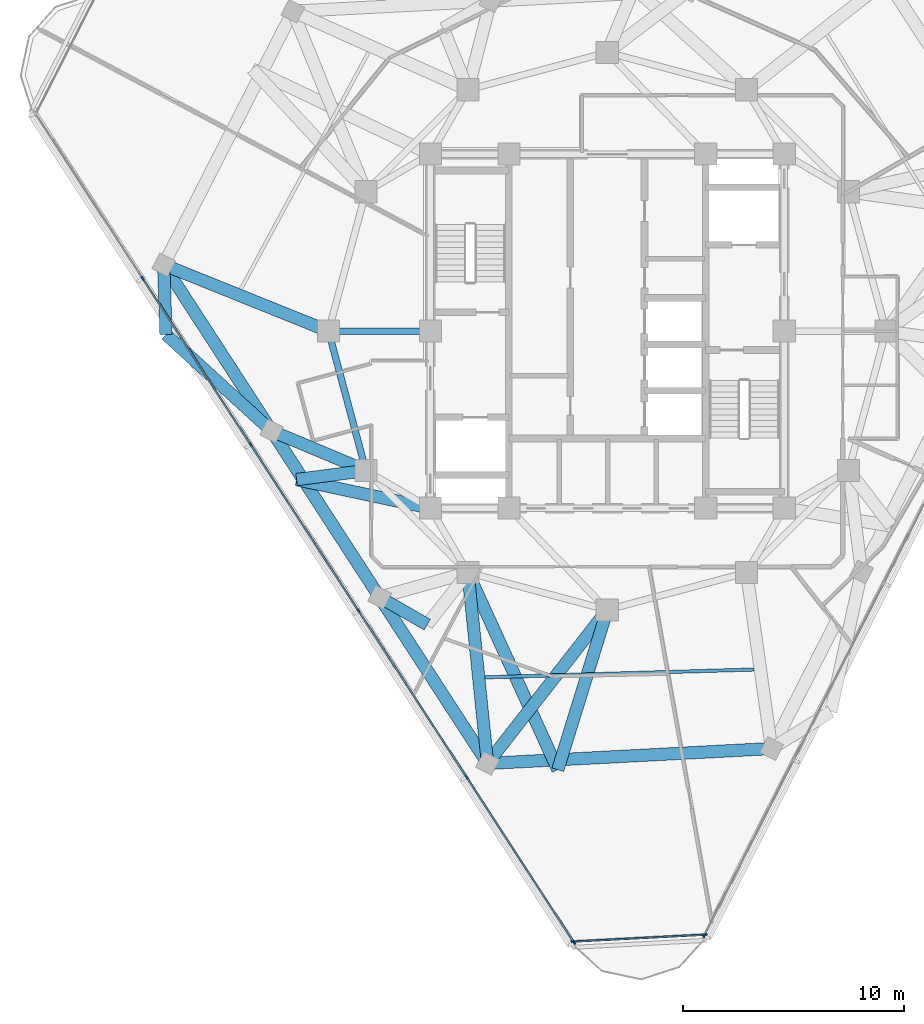
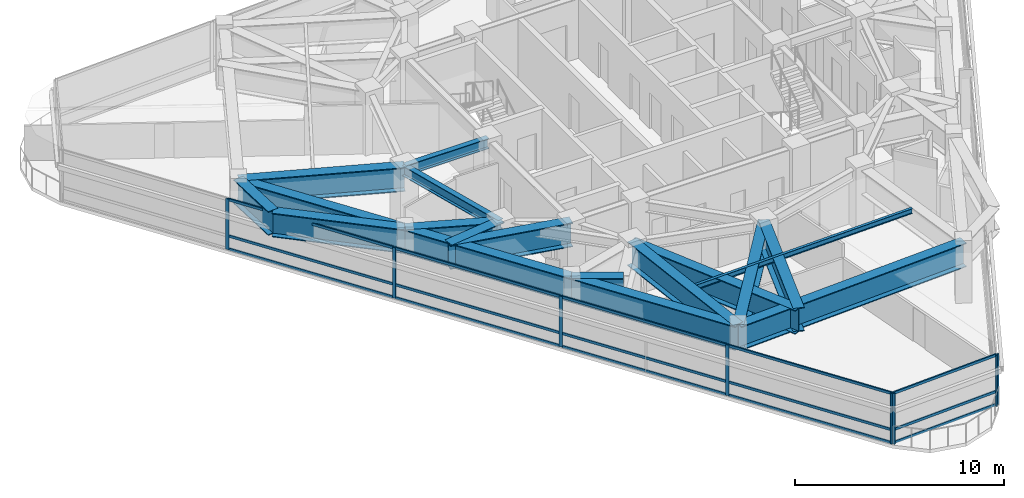
# One storey, part 2 of 15: 23 members, 18 beams, 3 elements without a shape of their own.
"""IFC4 building model written with IfcOpenShell, lengths in metres."""

from ifc_helpers import new_model, si_unit, direction, frame, origin, origin_2d, place, context, subcontext, project, spatial, rectangle, i_section, extrude, material, layer, layer_set, material_profile, profile_set, type_object, element, aggregate, save


model = new_model("IFC4")

# Units and contexts
model_context = context("Model", 3, precision=1e-05, world=origin(), true_north=direction((0.0, 1.0)))
body_context = subcontext(model_context, "Body", "Model", "MODEL_VIEW")
ifc_project = project(units=[si_unit("LENGTHUNIT", "METRE"), si_unit("AREAUNIT", "SQUARE_METRE"), si_unit("VOLUMEUNIT", "CUBIC_METRE"), si_unit("PLANEANGLEUNIT", "RADIAN"), si_unit("MASSUNIT", "GRAM", prefix="KILO")], contexts=[model_context])

# Site, building, storey
site_placement = place(None, origin())
site = spatial("IfcSite", under=ifc_project, at=site_placement, CompositionType="ELEMENT")
building_placement = place(site_placement, origin())
building = spatial("IfcBuilding", under=site, at=building_placement, Name="Terralouvre Media Tower", CompositionType="ELEMENT")
storey_placement = place(building_placement, frame((0.0, 0.0, 274.39990234375)))
storey = spatial("IfcBuildingStorey", under=building, at=storey_placement, Name="L71", CompositionType="ELEMENT", Elevation=274.39990234375)

# Beam
ifc_material_1 = material(Name="Structural steel S355J2", Category="steel")
ifc_material_profile_1 = material_profile(ifc_material_1, i_section(OverallWidth=0.14990234375, OverallDepth=0.300048828125, WebThickness=0.007080078125, FlangeThickness=0.0107421875, at=origin_2d()), Name="IPE 300")
ifc_profile_set_1 = profile_set([ifc_material_profile_1], Name="Structural steel S355J2")
beam_type_1 = type_object("IfcBeamType", Name="Composite Floor Joist J-IPE300 (IPE 300)", PredefinedType="JOIST", material=ifc_profile_set_1)
beam_1_placement = place(storey_placement, frame((-5.53369140625, -15.649658203125, 3.31005859375), z_axis=(0.999578036375, 0.029047361264, 0.0), x_axis=(-0.029047361264, 0.999578036375, 0.0)))
element("IfcBeam", 1, at=beam_1_placement, inside=storey, type_object=beam_type_1, Name="L71 Framing Beam JT-L71-01", PredefinedType="JOIST", context=body_context, shape_type="SweptSolid", body=[
    extrude(i_section(OverallWidth=0.14990234375, OverallDepth=0.300048828125, WebThickness=0.007080078125, FlangeThickness=0.0107421875, at=origin_2d()), origin(), (0.0, 0.0, 1.0), 12.1787109375),
])

# Curtain wall, members
ifc_material_2 = material(Name="Low-iron laminated double glazing with solar-control coating", Category="glass")
ifc_layer_1 = layer(ifc_material_2, 0.1650390625, Name="Upper Executive Tower Curtain Wall CW-05")
ifc_layer_set_1 = layer_set([ifc_layer_1], Name="Low-iron laminated double glazing with solar-control coating")
curtain_wall_type_1 = type_object("IfcCurtainWallType", Name="Upper Executive Tower Curtain Wall CW-05", PredefinedType="NOTDEFINED", material=ifc_layer_set_1)
curtain_wall_1_placement = place(storey_placement, origin())
curtain_wall_1 = element("IfcCurtainWall", 2, at=curtain_wall_1_placement, inside=storey, type_object=curtain_wall_type_1, Name="L71 Facade Curtain Wall F2", PredefinedType="NOTDEFINED")
ifc_material_3 = material(Name="Anodised extruded aluminium 6063-T6", Category="aluminium")
ifc_material_profile_2 = material_profile(ifc_material_3, rectangle(XDim=0.074951171875, YDim=0.14990234375, at=origin_2d()), Name="ALU 75x150")
ifc_profile_set_2 = profile_set([ifc_material_profile_2], Name="Anodised extruded aluminium 6063-T6")
member_type_1 = type_object("IfcMemberType", Name="Curtain-Wall Horizontal Transom TR-150", PredefinedType="USERDEFINED", material=ifc_profile_set_2)
member_1_placement = place(storey_placement, frame((-20.98046875, 2.355712890625, 0.03759765625), z_axis=(0.544647362145, -0.838665160185, 0.0), x_axis=(0.838665160185, 0.544647362145, 0.0)))
member_1 = element("IfcMember", 3, at=member_1_placement, type_object=member_type_1, Name="CW-05 transom 2.1", ObjectType="TRANSOM", PredefinedType="USERDEFINED", context=body_context, shape_type="SweptSolid", body=[
    extrude(rectangle(XDim=0.074951171875, YDim=0.14990234375, at=origin_2d()), origin(), (0.0, 0.0, 1.0), 8.884765625),
])
member_2_placement = place(storey_placement, frame((-20.98046875, 2.355712890625, 0.800048828125), z_axis=(0.544647362145, -0.838665160185, 0.0), x_axis=(0.838665160185, 0.544647362145, 0.0)))
member_2 = element("IfcMember", 4, at=member_2_placement, type_object=member_type_1, Name="CW-05 transom 2.2", ObjectType="TRANSOM", PredefinedType="USERDEFINED", context=body_context, shape_type="SweptSolid", body=[
    extrude(rectangle(XDim=0.074951171875, YDim=0.14990234375, at=origin_2d()), origin(), (0.0, 0.0, 1.0), 8.884765625),
])
member_3_placement = place(storey_placement, frame((-20.98046875, 2.355712890625, 2.922607421875), z_axis=(0.544647362145, -0.838665160185, 0.0), x_axis=(0.838665160185, 0.544647362145, 0.0)))
member_3 = element("IfcMember", 5, at=member_3_placement, type_object=member_type_1, Name="CW-05 transom 2.3", ObjectType="TRANSOM", PredefinedType="USERDEFINED", context=body_context, shape_type="SweptSolid", body=[
    extrude(rectangle(XDim=0.074951171875, YDim=0.14990234375, at=origin_2d()), origin(), (0.0, 0.0, 1.0), 8.884765625),
])
member_4_placement = place(storey_placement, frame((-16.1005859375, -5.15869140625, 0.03759765625), z_axis=(0.544634810925, -0.838673311087, 0.0), x_axis=(0.838673311087, 0.544634810925, 0.0)))
member_4 = element("IfcMember", 6, at=member_4_placement, type_object=member_type_1, Name="CW-05 transom 3.1", ObjectType="TRANSOM", PredefinedType="USERDEFINED", context=body_context, shape_type="SweptSolid", body=[
    extrude(rectangle(XDim=0.074951171875, YDim=0.14990234375, at=origin_2d()), origin(), (0.0, 0.0, 1.0), 8.885009765625),
])
member_5_placement = place(storey_placement, frame((-16.1005859375, -5.15869140625, 0.800048828125), z_axis=(0.544634810925, -0.838673311087, 0.0), x_axis=(0.838673311087, 0.544634810925, 0.0)))
member_5 = element("IfcMember", 7, at=member_5_placement, type_object=member_type_1, Name="CW-05 transom 3.2", ObjectType="TRANSOM", PredefinedType="USERDEFINED", context=body_context, shape_type="SweptSolid", body=[
    extrude(rectangle(XDim=0.074951171875, YDim=0.14990234375, at=origin_2d()), origin(), (0.0, 0.0, 1.0), 8.885009765625),
])
member_6_placement = place(storey_placement, frame((-16.1005859375, -5.15869140625, 2.922607421875), z_axis=(0.544634810925, -0.838673311087, 0.0), x_axis=(0.838673311087, 0.544634810925, 0.0)))
member_6 = element("IfcMember", 8, at=member_6_placement, type_object=member_type_1, Name="CW-05 transom 3.3", ObjectType="TRANSOM", PredefinedType="USERDEFINED", context=body_context, shape_type="SweptSolid", body=[
    extrude(rectangle(XDim=0.074951171875, YDim=0.14990234375, at=origin_2d()), origin(), (0.0, 0.0, 1.0), 8.885009765625),
])
member_7_placement = place(storey_placement, frame((-11.220458984375, -12.673095703125, 0.03759765625), z_axis=(0.544634810925, -0.838673311087, 0.0), x_axis=(0.838673311087, 0.544634810925, 0.0)))
member_7 = element("IfcMember", 9, at=member_7_placement, type_object=member_type_1, Name="CW-05 transom 4.1", ObjectType="TRANSOM", PredefinedType="USERDEFINED", context=body_context, shape_type="SweptSolid", body=[
    extrude(rectangle(XDim=0.074951171875, YDim=0.14990234375, at=origin_2d()), origin(), (0.0, 0.0, 1.0), 8.885009765625),
])
member_8_placement = place(storey_placement, frame((-11.220458984375, -12.673095703125, 0.800048828125), z_axis=(0.544634810925, -0.838673311087, 0.0), x_axis=(0.838673311087, 0.544634810925, 0.0)))
member_8 = element("IfcMember", 10, at=member_8_placement, type_object=member_type_1, Name="CW-05 transom 4.2", ObjectType="TRANSOM", PredefinedType="USERDEFINED", context=body_context, shape_type="SweptSolid", body=[
    extrude(rectangle(XDim=0.074951171875, YDim=0.14990234375, at=origin_2d()), origin(), (0.0, 0.0, 1.0), 8.885009765625),
])
member_9_placement = place(storey_placement, frame((-11.220458984375, -12.673095703125, 2.922607421875), z_axis=(0.544634810925, -0.838673311087, 0.0), x_axis=(0.838673311087, 0.544634810925, 0.0)))
member_9 = element("IfcMember", 11, at=member_9_placement, type_object=member_type_1, Name="CW-05 transom 4.3", ObjectType="TRANSOM", PredefinedType="USERDEFINED", context=body_context, shape_type="SweptSolid", body=[
    extrude(rectangle(XDim=0.074951171875, YDim=0.14990234375, at=origin_2d()), origin(), (0.0, 0.0, 1.0), 8.885009765625),
])
member_10_placement = place(storey_placement, frame((-6.340576171875, -20.187744140625, 0.03759765625), z_axis=(0.544630398361, -0.838676176591, 0.0), x_axis=(0.838676176591, 0.544630398361, 0.0)))
member_10 = element("IfcMember", 12, at=member_10_placement, type_object=member_type_1, Name="CW-05 transom 5.1", ObjectType="TRANSOM", PredefinedType="USERDEFINED", context=body_context, shape_type="SweptSolid", body=[
    extrude(rectangle(XDim=0.074951171875, YDim=0.14990234375, at=origin_2d()), origin(), (0.0, 0.0, 1.0), 8.847412109375),
])
member_11_placement = place(storey_placement, frame((-6.340576171875, -20.187744140625, 0.800048828125), z_axis=(0.544630398361, -0.838676176591, 0.0), x_axis=(0.838676176591, 0.544630398361, 0.0)))
member_11 = element("IfcMember", 13, at=member_11_placement, type_object=member_type_1, Name="CW-05 transom 5.2", ObjectType="TRANSOM", PredefinedType="USERDEFINED", context=body_context, shape_type="SweptSolid", body=[
    extrude(rectangle(XDim=0.074951171875, YDim=0.14990234375, at=origin_2d()), origin(), (0.0, 0.0, 1.0), 8.847412109375),
])
member_12_placement = place(storey_placement, frame((-6.340576171875, -20.187744140625, 2.922607421875), z_axis=(0.544630398361, -0.838676176591, 0.0), x_axis=(0.838676176591, 0.544630398361, 0.0)))
member_12 = element("IfcMember", 14, at=member_12_placement, type_object=member_type_1, Name="CW-05 transom 5.3", ObjectType="TRANSOM", PredefinedType="USERDEFINED", context=body_context, shape_type="SweptSolid", body=[
    extrude(rectangle(XDim=0.074951171875, YDim=0.14990234375, at=origin_2d()), origin(), (0.0, 0.0, 1.0), 8.847412109375),
])

ifc_material_4 = material(Name="Low-iron laminated double glazing with solar-control coating", Category="glass")
ifc_layer_2 = layer(ifc_material_4, 0.1650390625, Name="Rounded Wind-Corner Curved Glazing CW-04")
ifc_layer_set_2 = layer_set([ifc_layer_2], Name="Low-iron laminated double glazing with solar-control coating")
curtain_wall_type_2 = type_object("IfcCurtainWallType", Name="Rounded Wind-Corner Curved Glazing CW-04", PredefinedType="NOTDEFINED", material=ifc_layer_set_2)
curtain_wall_2_placement = place(storey_placement, origin())
curtain_wall_2 = element("IfcCurtainWall", 15, at=curtain_wall_2_placement, inside=storey, type_object=curtain_wall_type_2, Name="L71 Rounded Wind-Corner Curtain Wall C0", PredefinedType="NOTDEFINED")
member_13_placement = place(storey_placement, frame((-1.51416015625, -27.59228515625, 0.03759765625), z_axis=(0.998630348994, 0.052320417325, 0.0), x_axis=(-0.052320417325, 0.998630348994, 0.0)))
member_13 = element("IfcMember", 16, at=member_13_placement, type_object=member_type_1, Name="CW-04 transom 1.1", ObjectType="TRANSOM", PredefinedType="USERDEFINED", context=body_context, shape_type="SweptSolid", body=[
    extrude(rectangle(XDim=0.074951171875, YDim=0.14990234375, at=origin_2d()), origin(), (0.0, 0.0, 1.0), 5.912109375),
])
member_14_placement = place(storey_placement, frame((-1.51416015625, -27.59228515625, 0.800048828125), z_axis=(0.998630348994, 0.052320417325, 0.0), x_axis=(-0.052320417325, 0.998630348994, 0.0)))
member_14 = element("IfcMember", 17, at=member_14_placement, type_object=member_type_1, Name="CW-04 transom 1.2", ObjectType="TRANSOM", PredefinedType="USERDEFINED", context=body_context, shape_type="SweptSolid", body=[
    extrude(rectangle(XDim=0.074951171875, YDim=0.14990234375, at=origin_2d()), origin(), (0.0, 0.0, 1.0), 5.912109375),
])
member_15_placement = place(storey_placement, frame((-1.51416015625, -27.59228515625, 2.922607421875), z_axis=(0.998630348994, 0.052320417325, 0.0), x_axis=(-0.052320417325, 0.998630348994, 0.0)))
member_15 = element("IfcMember", 18, at=member_15_placement, type_object=member_type_1, Name="CW-04 transom 1.3", ObjectType="TRANSOM", PredefinedType="USERDEFINED", context=body_context, shape_type="SweptSolid", body=[
    extrude(rectangle(XDim=0.074951171875, YDim=0.14990234375, at=origin_2d()), origin(), (0.0, 0.0, 1.0), 5.912109375),
])

# Curtain wall, member
curtain_wall_3_placement = place(storey_placement, origin())
curtain_wall_3 = element("IfcCurtainWall", 19, at=curtain_wall_3_placement, inside=storey, type_object=curtain_wall_type_1, Name="L71 Facade Curtain Wall F0", PredefinedType="NOTDEFINED")
ifc_material_5 = material(Name="Anodised extruded aluminium 6063-T6", Category="aluminium")
ifc_material_profile_3 = material_profile(ifc_material_5, rectangle(XDim=0.074951171875, YDim=0.179931640625, at=origin_2d()), Name="ALU 75x180")
ifc_profile_set_3 = profile_set([ifc_material_profile_3], Name="Anodised extruded aluminium 6063-T6")
member_type_2 = type_object("IfcMemberType", Name="Curtain-Wall Vertical Mullion ML-180", PredefinedType="MULLION", material=ifc_profile_set_3)
member_16_placement = place(storey_placement, frame((4.38232421875, -27.330810546875, 0.0), z_axis=(0.0, 0.0, 1.0), x_axis=(-0.891006553308, 0.45399044259, 0.0)))
member_16 = element("IfcMember", 20, at=member_16_placement, type_object=member_type_2, Name="CW-05 mullion 1", PredefinedType="MULLION", context=body_context, shape_type="SweptSolid", body=[
    extrude(rectangle(XDim=0.074951171875, YDim=0.179931640625, at=origin_2d()), origin(), (0.0, 0.0, 1.0), 2.960205078125),
])
aggregate(curtain_wall_3, [member_16])

# Member
member_17_placement = place(storey_placement, frame((-21.0009765625, 2.38720703125, 0.0), z_axis=(0.0, 0.0, 1.0), x_axis=(0.838670545826, 0.544639069077, 0.0)))
member_17 = element("IfcMember", 21, at=member_17_placement, type_object=member_type_2, Name="CW-05 mullion 2", PredefinedType="MULLION", context=body_context, shape_type="SweptSolid", body=[
    extrude(rectangle(XDim=0.074951171875, YDim=0.179931640625, at=origin_2d()), origin(), (0.0, 0.0, 1.0), 2.960205078125),
])

member_18_placement = place(storey_placement, frame((-16.120849609375, -5.127197265625, 0.0), z_axis=(0.0, 0.0, 1.0), x_axis=(0.838670545826, 0.544639069077, 0.0)))
member_18 = element("IfcMember", 22, at=member_18_placement, type_object=member_type_2, Name="CW-05 mullion 3", PredefinedType="MULLION", context=body_context, shape_type="SweptSolid", body=[
    extrude(rectangle(XDim=0.074951171875, YDim=0.179931640625, at=origin_2d()), origin(), (0.0, 0.0, 1.0), 2.960205078125),
])

member_19_placement = place(storey_placement, frame((-11.240966796875, -12.641845703125, 0.0), z_axis=(0.0, 0.0, 1.0), x_axis=(0.838670545826, 0.544639069077, 0.0)))
member_19 = element("IfcMember", 23, at=member_19_placement, type_object=member_type_2, Name="CW-05 mullion 4", PredefinedType="MULLION", context=body_context, shape_type="SweptSolid", body=[
    extrude(rectangle(XDim=0.074951171875, YDim=0.179931640625, at=origin_2d()), origin(), (0.0, 0.0, 1.0), 2.960205078125),
])

member_20_placement = place(storey_placement, frame((-6.361083984375, -20.15625, 0.0), z_axis=(0.0, 0.0, 1.0), x_axis=(0.838670545826, 0.544639069077, 0.0)))
member_20 = element("IfcMember", 24, at=member_20_placement, type_object=member_type_2, Name="CW-05 mullion 5", PredefinedType="MULLION", context=body_context, shape_type="SweptSolid", body=[
    extrude(rectangle(XDim=0.074951171875, YDim=0.179931640625, at=origin_2d()), origin(), (0.0, 0.0, 1.0), 2.960205078125),
])

member_21_placement = place(storey_placement, frame((-1.50146484375, -27.63916015625, 0.0), z_axis=(0.0, 0.0, 1.0), x_axis=(0.838670545826, 0.544639069077, 0.0)))
member_21 = element("IfcMember", 25, at=member_21_placement, type_object=member_type_2, Name="CW-05 mullion 6", PredefinedType="MULLION", context=body_context, shape_type="SweptSolid", body=[
    extrude(rectangle(XDim=0.074951171875, YDim=0.179931640625, at=origin_2d()), origin(), (0.0, 0.0, 1.0), 2.960205078125),
])

aggregate(curtain_wall_1, [member_17, member_18, member_19, member_20, member_21, member_1, member_2, member_3, member_4, member_5, member_6, member_7, member_8, member_9, member_10, member_11, member_12])

member_22_placement = place(storey_placement, frame((-1.551513671875, -27.59423828125, 0.0), z_axis=(0.0, 0.0, 1.0), x_axis=(-0.05233597552, 0.998629533744, 0.0)))
member_22 = element("IfcMember", 26, at=member_22_placement, type_object=member_type_2, Name="CW-04 mullion 1", PredefinedType="MULLION", context=body_context, shape_type="SweptSolid", body=[
    extrude(rectangle(XDim=0.074951171875, YDim=0.179931640625, at=origin_2d()), origin(), (0.0, 0.0, 1.0), 2.960205078125),
])

member_23_placement = place(storey_placement, frame((4.427490234375, -27.281005859375, 0.0), z_axis=(0.0, 0.0, 1.0), x_axis=(-0.05233597552, 0.998629533744, 0.0)))
member_23 = element("IfcMember", 27, at=member_23_placement, type_object=member_type_2, Name="CW-04 mullion 2", PredefinedType="MULLION", context=body_context, shape_type="SweptSolid", body=[
    extrude(rectangle(XDim=0.074951171875, YDim=0.179931640625, at=origin_2d()), origin(), (0.0, 0.0, 1.0), 2.960205078125),
])

aggregate(curtain_wall_2, [member_22, member_23, member_13, member_14, member_15])

# Beams
ifc_material_6 = material(Name="Structural steel S460M", Category="steel")
ifc_material_profile_4 = material_profile(ifc_material_6, i_section(OverallWidth=0.300048828125, OverallDepth=0.60009765625, WebThickness=0.015380859375, FlangeThickness=0.030029296875, at=origin_2d()), Name="HEB 600")
ifc_profile_set_4 = profile_set([ifc_material_profile_4], Name="Structural steel S460M")
beam_type_2 = type_object("IfcBeamType", Name="Primary Floor Girder B-HEB600 (HEB 600)", PredefinedType="BEAM", material=ifc_profile_set_4)
beam_2_placement = place(storey_placement, frame((-12.60009765625, 0.0, 3.16015625), z_axis=(0.258838989821, -0.965920481897, 0.0), x_axis=(0.965920481897, 0.258838989821, 0.0)))
element("IfcBeam", 28, at=beam_2_placement, inside=storey, type_object=beam_type_2, Name="L71 Framing Beam BM-L71-MR12", PredefinedType="BEAM", context=body_context, shape_type="SweptSolid", body=[
    extrude(i_section(OverallWidth=0.300048828125, OverallDepth=0.60009765625, WebThickness=0.015380859375, FlangeThickness=0.030029296875, at=origin_2d()), origin(), (0.0, 0.0, 1.0), 6.522216796875),
])
beam_3_placement = place(storey_placement, frame((-8.0, 0.0, 3.16015625), z_axis=(-1.0, 0.0, 0.0), x_axis=(0.0, -1.0, 0.0)))
element("IfcBeam", 29, at=beam_3_placement, inside=storey, type_object=beam_type_2, Name="L71 Framing Beam BM-L71-CM12", PredefinedType="BEAM", context=body_context, shape_type="SweptSolid", body=[
    extrude(i_section(OverallWidth=0.300048828125, OverallDepth=0.60009765625, WebThickness=0.015380859375, FlangeThickness=0.030029296875, at=origin_2d()), origin(), (0.0, 0.0, 1.0), 4.60009765625),
])
ifc_material_7 = material(Name="Structural steel S460M", Category="steel")
ifc_material_profile_5 = material_profile(ifc_material_7, i_section(OverallWidth=0.56005859375, OverallDepth=1.39990234375, WebThickness=0.031982421875, FlangeThickness=0.050048828125, at=origin_2d()), Name="TG 1400x560")
ifc_profile_set_5 = profile_set([ifc_material_profile_5], Name="Structural steel S460M")
beam_type_3 = type_object("IfcBeamType", Name="Welded Transfer Girder TG-1400 (TG 1400x560)", PredefinedType="USERDEFINED", material=ifc_profile_set_5)
beam_4_placement = place(storey_placement, frame((-15.17333984375, -4.51171875, 2.760009765625), z_axis=(0.544643524961, -0.838667652123, 0.0), x_axis=(0.838667652123, 0.544643524961, 0.0)))
element("IfcBeam", 30, at=beam_4_placement, inside=storey, type_object=beam_type_3, Name="L71 Framing Beam BM-L71-PR01", ObjectType="TRANSFER GIRDER", PredefinedType="USERDEFINED", context=body_context, shape_type="SweptSolid", body=[
    extrude(i_section(OverallWidth=0.56005859375, OverallDepth=1.39990234375, WebThickness=0.031982421875, FlangeThickness=0.050048828125, at=origin_2d()), origin(), (0.0, 0.0, 1.0), 8.960205078125),
])
beam_5_placement = place(storey_placement, frame((-10.293212890625, -12.0263671875, 2.760009765625), z_axis=(0.544636805853, -0.838672015576, 0.0), x_axis=(0.838672015576, 0.544636805853, 0.0)))
element("IfcBeam", 31, at=beam_5_placement, inside=storey, type_object=beam_type_3, Name="L71 Framing Beam BM-L71-PR02", ObjectType="TRANSFER GIRDER", PredefinedType="USERDEFINED", context=body_context, shape_type="SweptSolid", body=[
    extrude(i_section(OverallWidth=0.56005859375, OverallDepth=1.39990234375, WebThickness=0.031982421875, FlangeThickness=0.050048828125, at=origin_2d()), origin(), (0.0, 0.0, 1.0), 8.9599609375),
])
beam_6_placement = place(storey_placement, frame((-5.413330078125, -19.540771484375, 2.760009765625), z_axis=(0.998629710924, 0.052332594613, 0.0), x_axis=(-0.052332594613, 0.998629710924, 0.0)))
element("IfcBeam", 32, at=beam_6_placement, inside=storey, type_object=beam_type_3, Name="L71 Framing Beam BM-L71-PR03", ObjectType="TRANSFER GIRDER", PredefinedType="USERDEFINED", context=body_context, shape_type="SweptSolid", body=[
    extrude(i_section(OverallWidth=0.56005859375, OverallDepth=1.39990234375, WebThickness=0.031982421875, FlangeThickness=0.050048828125, at=origin_2d()), origin(), (0.0, 0.0, 1.0), 12.857177734375),
])
beam_7_placement = place(storey_placement, frame((-20.05322265625, 3.002685546875, 2.760009765625), z_axis=(0.544636805853, -0.838672015576, 0.0), x_axis=(0.838672015576, 0.544636805853, 0.0)))
element("IfcBeam", 33, at=beam_7_placement, inside=storey, type_object=beam_type_3, Name="L71 Framing Beam BM-L71-PR12", ObjectType="TRANSFER GIRDER", PredefinedType="USERDEFINED", context=body_context, shape_type="SweptSolid", body=[
    extrude(i_section(OverallWidth=0.56005859375, OverallDepth=1.39990234375, WebThickness=0.031982421875, FlangeThickness=0.050048828125, at=origin_2d()), origin(), (0.0, 0.0, 1.0), 8.9599609375),
])
beam_8_placement = place(storey_placement, frame((-10.911865234375, -6.300048828125, 2.760009765625), z_axis=(-0.922097113404, 0.386958542291, 0.0), x_axis=(-0.386958542291, -0.922097113404, 0.0)))
element("IfcBeam", 34, at=beam_8_placement, inside=storey, type_object=beam_type_3, Name="L71 Framing Beam BM-L71-RD01", ObjectType="TRANSFER GIRDER", PredefinedType="USERDEFINED", context=body_context, shape_type="SweptSolid", body=[
    extrude(i_section(OverallWidth=0.56005859375, OverallDepth=1.39990234375, WebThickness=0.031982421875, FlangeThickness=0.050048828125, at=origin_2d()), origin(), (0.0, 0.0, 1.0), 4.62158203125),
])
beam_9_placement = place(storey_placement, frame((-6.300048828125, -10.911865234375, 2.760009765625), z_axis=(0.102223114396, -0.994761496482, 0.0), x_axis=(0.994761496482, 0.102223114396, 0.0)))
element("IfcBeam", 35, at=beam_9_placement, inside=storey, type_object=beam_type_3, Name="L71 Framing Beam BM-L71-RD03", ObjectType="TRANSFER GIRDER", PredefinedType="USERDEFINED", context=body_context, shape_type="SweptSolid", body=[
    extrude(i_section(OverallWidth=0.56005859375, OverallDepth=1.39990234375, WebThickness=0.031982421875, FlangeThickness=0.050048828125, at=origin_2d()), origin(), (0.0, 0.0, 1.0), 8.67431640625),
])
beam_10_placement = place(storey_placement, frame((-12.60009765625, 0.0, 2.760009765625), z_axis=(-0.927553949727, 0.373689269775, 0.0), x_axis=(-0.373689269775, -0.927553949727, 0.0)))
element("IfcBeam", 36, at=beam_10_placement, inside=storey, type_object=beam_type_3, Name="L71 Framing Beam BM-L71-RD12", ObjectType="TRANSFER GIRDER", PredefinedType="USERDEFINED", context=body_context, shape_type="SweptSolid", body=[
    extrude(i_section(OverallWidth=0.56005859375, OverallDepth=1.39990234375, WebThickness=0.031982421875, FlangeThickness=0.050048828125, at=origin_2d()), origin(), (0.0, 0.0, 1.0), 8.03515625),
])
beam_11_placement = place(storey_placement, frame((-19.948974609375, -0.1513671875, 2.760009765625), z_axis=(-0.033034054864, 0.999454226675, 0.0), x_axis=(-0.999454226675, -0.033034054864, 0.0)))
element("IfcBeam", 37, at=beam_11_placement, inside=storey, type_object=beam_type_3, Name="L71 Framing Beam BM-L71-TR09S1", ObjectType="TRANSFER GIRDER", PredefinedType="USERDEFINED", context=body_context, shape_type="SweptSolid", body=[
    extrude(i_section(OverallWidth=0.56005859375, OverallDepth=1.39990234375, WebThickness=0.031982421875, FlangeThickness=0.050048828125, at=origin_2d()), origin(), (0.0, 0.0, 1.0), 3.15576171875),
])
beam_12_placement = place(storey_placement, frame((-19.948974609375, -0.1513671875, 2.760009765625), z_axis=(0.73848631126, -0.674268468847, 0.0), x_axis=(0.674268468847, 0.73848631126, 0.0)))
element("IfcBeam", 38, at=beam_12_placement, inside=storey, type_object=beam_type_3, Name="L71 Framing Beam BM-L71-TR09S2", ObjectType="TRANSFER GIRDER", PredefinedType="USERDEFINED", context=body_context, shape_type="SweptSolid", body=[
    extrude(i_section(OverallWidth=0.56005859375, OverallDepth=1.39990234375, WebThickness=0.031982421875, FlangeThickness=0.050048828125, at=origin_2d()), origin(), (0.0, 0.0, 1.0), 6.466796875),
])
beam_13_placement = place(storey_placement, frame((-14.044677734375, -6.708984375, 2.760009765625), z_axis=(0.991587910477, 0.129434986756, 0.0), x_axis=(-0.129434986756, 0.991587910477, 0.0)))
element("IfcBeam", 39, at=beam_13_placement, inside=storey, type_object=beam_type_3, Name="L71 Framing Beam BM-L71-TR10S1", ObjectType="TRANSFER GIRDER", PredefinedType="USERDEFINED", context=body_context, shape_type="SweptSolid", body=[
    extrude(i_section(OverallWidth=0.56005859375, OverallDepth=1.39990234375, WebThickness=0.031982421875, FlangeThickness=0.050048828125, at=origin_2d()), origin(), (0.0, 0.0, 1.0), 3.159423828125),
])
beam_14_placement = place(storey_placement, frame((-14.044677734375, -6.708984375, 2.760009765625), z_axis=(0.977943807378, -0.20886816323, 0.0), x_axis=(0.20886816323, 0.977943807378, 0.0)))
element("IfcBeam", 40, at=beam_14_placement, inside=storey, type_object=beam_type_3, Name="L71 Framing Beam BM-L71-TR10S2", ObjectType="TRANSFER GIRDER", PredefinedType="USERDEFINED", context=body_context, shape_type="SweptSolid", body=[
    extrude(i_section(OverallWidth=0.56005859375, OverallDepth=1.39990234375, WebThickness=0.031982421875, FlangeThickness=0.050048828125, at=origin_2d()), origin(), (0.0, 0.0, 1.0), 6.180908203125),
])
beam_15_placement = place(storey_placement, frame((-8.14013671875, -13.266357421875, 2.760009765625), z_axis=(-0.866563223141, 0.49906731039, 0.0), x_axis=(-0.49906731039, -0.866563223141, 0.0)))
element("IfcBeam", 41, at=beam_15_placement, inside=storey, type_object=beam_type_3, Name="L71 Framing Beam BM-L71-TR11S1", ObjectType="TRANSFER GIRDER", PredefinedType="USERDEFINED", context=body_context, shape_type="SweptSolid", body=[
    extrude(i_section(OverallWidth=0.56005859375, OverallDepth=1.39990234375, WebThickness=0.031982421875, FlangeThickness=0.050048828125, at=origin_2d()), origin(), (0.0, 0.0, 1.0), 2.484619140625),
])
beam_16_placement = place(storey_placement, frame((-5.413330078125, -19.540771484375, 2.760009765625), z_axis=(0.615003861657, 0.78852409611, 0.0), x_axis=(-0.78852409611, 0.615003861657, 0.0)))
element("IfcBeam", 42, at=beam_16_placement, inside=storey, type_object=beam_type_3, Name="L71 Framing Beam BM-L71-TRC12", ObjectType="TRANSFER GIRDER", PredefinedType="USERDEFINED", context=body_context, shape_type="SweptSolid", body=[
    extrude(i_section(OverallWidth=0.56005859375, OverallDepth=1.39990234375, WebThickness=0.031982421875, FlangeThickness=0.050048828125, at=origin_2d()), origin(), (0.0, 0.0, 1.0), 8.802001953125),
])
beam_17_placement = place(storey_placement, frame((-2.23583984375, -19.823974609375, 2.760009765625), z_axis=(0.295668996709, 0.955290450274, 0.0), x_axis=(-0.955290450274, 0.295668996709, 0.0)))
element("IfcBeam", 43, at=beam_17_placement, inside=storey, type_object=beam_type_3, Name="L71 Framing Beam BM-L71-TR12S1", ObjectType="TRANSFER GIRDER", PredefinedType="USERDEFINED", context=body_context, shape_type="SweptSolid", body=[
    extrude(i_section(OverallWidth=0.56005859375, OverallDepth=1.39990234375, WebThickness=0.031982421875, FlangeThickness=0.050048828125, at=origin_2d()), origin(), (0.0, 0.0, 1.0), 7.56201171875),
])
beam_18_placement = place(storey_placement, frame((-2.23583984375, -19.823974609375, 2.760009765625), z_axis=(-0.414923735964, 0.909856193766, 0.0), x_axis=(-0.909856193766, -0.414923735964, 0.0)))
element("IfcBeam", 44, at=beam_18_placement, inside=storey, type_object=beam_type_3, Name="L71 Framing Beam BM-L71-TR12S2", ObjectType="TRANSFER GIRDER", PredefinedType="USERDEFINED", context=body_context, shape_type="SweptSolid", body=[
    extrude(i_section(OverallWidth=0.56005859375, OverallDepth=1.39990234375, WebThickness=0.031982421875, FlangeThickness=0.050048828125, at=origin_2d()), origin(), (0.0, 0.0, 1.0), 9.795166015625),
])

save(model, "model.ifc")
